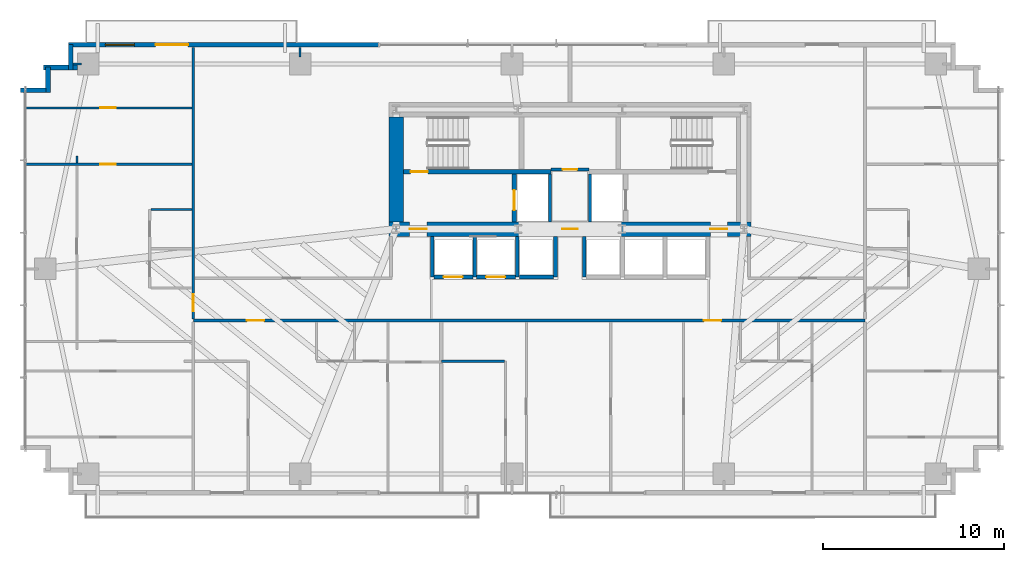
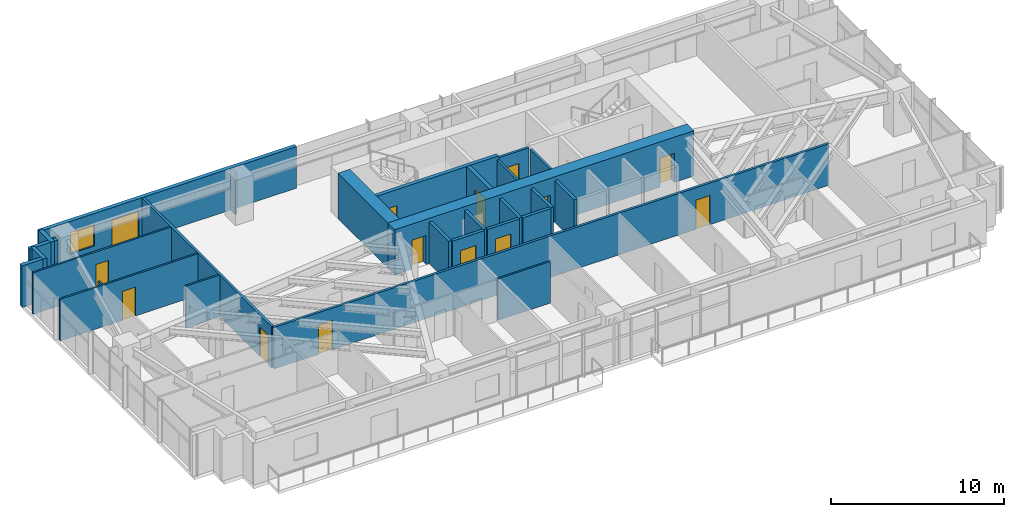
# One storey, part 20 of 25: 29 walls, 14 doors, 1 window, 15 openings.
"""IFC4 building model written with IfcOpenShell, lengths in metres."""

import ifcopenshell
import ifcopenshell.guid

model = None  # the IFC model being written
_history = None  # IfcOwnerHistory: only IFC2X3 demands one
_inside = {}  # id of a spatial element -> (the spatial element, [elements in it])
_under = {}  # id of a project, library or spatial element -> (it, [spatial elements below it])
_declared = {}  # id of a project -> (the project, [libraries it declares])
_typed = {}  # id of a type object -> (the type object, [elements of that type])
_made_of = {}  # id of a material, layer set ... -> (it, [elements and type objects made of it])


def new_model(schema):
    """Start an empty IFC model of exactly this schema.

    Asked for "IFC4X3", IfcOpenShell would pick the latest addendum, in which some entities
    have other attributes; the version numbers below select the first issue.
    IFC2X3 requires an IfcOwnerHistory on every rooted entity: one is made here for all.
    """
    global model, _history
    if schema == "IFC4X3":
        model = ifcopenshell.file(schema_version=(4, 3, 0, 0))
    else:
        model = ifcopenshell.file(schema=schema)
    _inside.clear()
    _under.clear()
    _declared.clear()
    _typed.clear()
    _made_of.clear()
    _history = None
    if model.schema == "IFC2X3":
        org = make("IfcOrganization", Name="unknown")
        user = make(
            "IfcPersonAndOrganization",
            ThePerson=make("IfcPerson", FamilyName="unknown"),
            TheOrganization=org,
        )
        app = make(
            "IfcApplication",
            ApplicationDeveloper=org,
            Version="unknown",
            ApplicationFullName="unknown",
            ApplicationIdentifier="unknown",
        )
        _history = make(
            "IfcOwnerHistory",
            OwningUser=user,
            OwningApplication=app,
            ChangeAction="ADDED",
            CreationDate=0,
        )
    return model


def make(cls, **values):
    """One entity of the class cls with the attributes given. An attribute that is None is left unset."""
    return model.create_entity(
        cls, **{name: value for name, value in values.items() if value is not None}
    )


def rooted(cls, **values):
    """An entity with a GlobalId (a new one), such as an element, a storey or a relation."""
    return make(cls, GlobalId=ifcopenshell.guid.new(), OwnerHistory=_history, **values)


def si_unit(unit_type, name, prefix=None):
    """IfcSIUnit, for example si_unit("LENGTHUNIT", "METRE", prefix="MILLI")."""
    return make("IfcSIUnit", UnitType=unit_type, Prefix=prefix, Name=name)


def assignment(units):
    """IfcUnitAssignment: the units of a project."""
    return None if units is None else make("IfcUnitAssignment", Units=units)


def point(xyz):
    """IfcCartesianPoint."""
    return None if xyz is None else make("IfcCartesianPoint", Coordinates=xyz)


def direction(xyz):
    """IfcDirection."""
    return None if xyz is None else make("IfcDirection", DirectionRatios=xyz)


def frame(location, z_axis=None, x_axis=None):
    """IfcAxis2Placement3D, a coordinate frame: its origin and axes. An axis left out is left unset."""
    return make(
        "IfcAxis2Placement3D",
        Location=point(location),
        Axis=direction(z_axis),
        RefDirection=direction(x_axis),
    )


def frame_2d(location, x_axis=None):
    """IfcAxis2Placement2D, a coordinate frame in the plane: its origin and x axis."""
    return make(
        "IfcAxis2Placement2D", Location=point(location), RefDirection=direction(x_axis)
    )


def origin():
    """The frame at (0, 0, 0) with its axes left unset."""
    return frame((0.0, 0.0, 0.0))


def place(relative_to, where):
    """IfcLocalPlacement: puts the frame where relative to a parent placement (None: the world)."""
    return make(
        "IfcLocalPlacement", PlacementRelTo=relative_to, RelativePlacement=where
    )


def context(
    kind, dimensions, precision=None, world=None, true_north=None, identifier=None
):
    """IfcGeometricRepresentationContext, for example the 3D "Model" context."""
    return make(
        "IfcGeometricRepresentationContext",
        ContextIdentifier=identifier,
        ContextType=kind,
        CoordinateSpaceDimension=dimensions,
        Precision=precision,
        WorldCoordinateSystem=world,
        TrueNorth=true_north,
    )


def subcontext(parent, identifier, kind, view, scale=None):
    """IfcGeometricRepresentationSubContext, for example "Body" below "Model"."""
    return make(
        "IfcGeometricRepresentationSubContext",
        ContextIdentifier=identifier,
        ContextType=kind,
        ParentContext=parent,
        TargetScale=scale,
        TargetView=view,
    )


def project(units=None, contexts=None):
    """IfcProject with its units and contexts."""
    return rooted(
        "IfcProject",
        Name="project",
        RepresentationContexts=contexts,
        UnitsInContext=assignment(units),
    )


def spatial(cls, under=None, at=None, **own):
    """A site, building, storey or space (cls), placed at a placement, below another one or the project."""
    s = rooted(cls, ObjectPlacement=at, **own)
    if under is not None:
        _under.setdefault(under.id(), (under, []))[1].append(s)
    return s


def profile(cls, at=None, kind="AREA", **sizes):
    """A parametric profile (cls). Its sizes go by their IFC names, for example OverallWidth=200.0."""
    return make(cls, ProfileType=kind, Position=at, **sizes)


def rectangle(**sizes):
    """IfcRectangleProfileDef."""
    return profile("IfcRectangleProfileDef", **sizes)


def extrude(swept, where, along, depth):
    """IfcExtrudedAreaSolid: the profile swept, set in the frame where, extruded along a direction by depth."""
    return make(
        "IfcExtrudedAreaSolid",
        SweptArea=swept,
        Position=where,
        ExtrudedDirection=direction(along),
        Depth=depth,
    )


def shape(context_of_items, identifier, shape_type, items):
    """IfcShapeRepresentation: the items that make up one representation, for example the "Body"."""
    return make(
        "IfcShapeRepresentation",
        ContextOfItems=context_of_items,
        RepresentationIdentifier=identifier,
        RepresentationType=shape_type,
        Items=items,
    )


def source(mapping_origin, context_of_items, identifier, shape_type, items):
    """IfcRepresentationMap: a shape defined once, which mapped items show again and again."""
    return make(
        "IfcRepresentationMap",
        MappingOrigin=mapping_origin,
        MappedRepresentation=shape(context_of_items, identifier, shape_type, items),
    )


def transform(
    local_origin,
    x_axis=None,
    y_axis=None,
    z_axis=None,
    scale=None,
    scale2=None,
    scale3=None,
    uniform=True,
):
    """IfcCartesianTransformationOperator3D, or its non-uniform kind. x_axis, y_axis, z_axis: its Axis1, 2, 3."""
    if uniform:
        return make(
            "IfcCartesianTransformationOperator3D",
            Axis1=direction(x_axis),
            Axis2=direction(y_axis),
            LocalOrigin=point(local_origin),
            Scale=scale,
            Axis3=direction(z_axis),
        )
    return make(
        "IfcCartesianTransformationOperator3DnonUniform",
        Axis1=direction(x_axis),
        Axis2=direction(y_axis),
        LocalOrigin=point(local_origin),
        Scale=scale,
        Axis3=direction(z_axis),
        Scale2=scale2,
        Scale3=scale3,
    )


def mapped(mapping_source, mapping_target):
    """IfcMappedItem: shows the shape of a source again, moved by a transform."""
    return make(
        "IfcMappedItem", MappingSource=mapping_source, MappingTarget=mapping_target
    )


def material(Name=None, Category=None):
    """IfcMaterial."""
    return make("IfcMaterial", Name=Name, Category=Category)


def layer(
    of_material, thickness, ventilated=None, Name=None, Category=None, Priority=None
):
    """IfcMaterialLayer: one layer of a wall or slab, of a material (None: an air gap)."""
    return make(
        "IfcMaterialLayer",
        Material=of_material,
        LayerThickness=thickness,
        IsVentilated=ventilated,
        Name=Name,
        Category=Category,
        Priority=Priority,
    )


def layer_set(layers, Name=None):
    """IfcMaterialLayerSet."""
    return make("IfcMaterialLayerSet", MaterialLayers=layers, LayerSetName=Name)


def made_of(thing, what):
    """Note that an element or type object is made of a material, layer set ...; save() writes the relation."""
    if what is not None:
        _made_of.setdefault(what.id(), (what, []))[1].append(thing)
    return thing


def type_object(cls, material=None, **own):
    """A type object (cls), such as IfcWallType, which elements share."""
    return made_of(rooted(cls, **own), material)


def type_shapes(of_type, sources):
    """Give a type object the sources (RepresentationMaps) that its elements show as mapped items."""
    of_type.RepresentationMaps = sources


def element(
    cls,
    number,
    at=None,
    inside=None,
    cuts=None,
    type_object=None,
    material=None,
    context=None,
    identifier="Body",
    shape_type=None,
    held_by="IfcProductDefinitionShape",
    body=None,
    shapes=None,
    **own,
):
    """One element of the class cls, such as IfcWall. Its Tag is "e" and its number.

    at: its placement. inside: the storey or other place that contains it. cuts: it is an
    opening in that element (IfcRelVoidsElement). A single representation is given by context,
    identifier, shape_type and body (its items); several are given by shapes. held_by: the class
    of the entity that holds the representations. save() writes the other relations.
    """
    e = rooted(cls, Tag="e%d" % number, ObjectPlacement=at, **own)
    if body is not None:
        shapes = [shape(context, identifier, shape_type, body)]
    if shapes is not None:
        e.Representation = make(held_by, Representations=shapes)
    if inside is not None:
        _inside.setdefault(inside.id(), (inside, []))[1].append(e)
    if cuts is not None:
        rooted(
            "IfcRelVoidsElement", RelatingBuildingElement=cuts, RelatedOpeningElement=e
        )
    if type_object is not None:
        _typed.setdefault(type_object.id(), (type_object, []))[1].append(e)
    return made_of(e, material)


def fill(opening, filler):
    """IfcRelFillsElement: the door or window that sits in an opening."""
    return rooted(
        "IfcRelFillsElement",
        RelatingOpeningElement=opening,
        RelatedBuildingElement=filler,
    )


def aggregate(whole, parts):
    """IfcRelAggregates: a whole, such as a stair, and the parts it consists of."""
    return rooted("IfcRelAggregates", RelatingObject=whole, RelatedObjects=parts)


def save(model, path):
    """Write the relations noted so far, then the file.

    IfcRelAggregates (storeys below a building ...), IfcRelContainedInSpatialStructure (elements
    in a storey), IfcRelDefinesByType, IfcRelAssociatesMaterial and IfcRelDeclares: one each for
    every whole, place, type object, material and project.
    """
    for whole, parts in _under.values():
        aggregate(whole, parts)
    for where, things in _inside.values():
        rooted(
            "IfcRelContainedInSpatialStructure",
            RelatedElements=things,
            RelatingStructure=where,
        )
    for kind, things in _typed.values():
        rooted("IfcRelDefinesByType", RelatedObjects=things, RelatingType=kind)
    for what, things in _made_of.values():
        rooted("IfcRelAssociatesMaterial", RelatedObjects=things, RelatingMaterial=what)
    for by, libraries in _declared.values():
        rooted("IfcRelDeclares", RelatingContext=by, RelatedDefinitions=libraries)
    model.write(path)


model = new_model("IFC4")

# Units and contexts
model_context = context("Model", 3, precision=1e-05, world=origin(), true_north=direction((0.0, 1.0)))
body_context = subcontext(model_context, "Body", "Model", "MODEL_VIEW")
ifc_project = project(units=[si_unit("LENGTHUNIT", "METRE"), si_unit("AREAUNIT", "SQUARE_METRE"), si_unit("VOLUMEUNIT", "CUBIC_METRE"), si_unit("PLANEANGLEUNIT", "RADIAN"), si_unit("MASSUNIT", "GRAM", prefix="KILO")], contexts=[model_context])

# Site, building, storey
site_placement = place(None, origin())
site = spatial("IfcSite", under=ifc_project, at=site_placement, CompositionType="ELEMENT")
building_placement = place(site_placement, origin())
building = spatial("IfcBuilding", under=site, at=building_placement, Name="Astriad Promenade Condominiums", CompositionType="ELEMENT")
storey_placement = place(building_placement, frame((0.0, 0.0, 26.199951171875)))
storey = spatial("IfcBuildingStorey", under=building, at=storey_placement, Name="L06", CompositionType="ELEMENT", Elevation=26.199951171875)

# Wall, openings, doors
ifc_material_1 = material(Name="Concrete C80/95", Category="concrete")
ifc_layer_1 = layer(ifc_material_1, 0.800048828125)
ifc_layer_set_1 = layer_set([ifc_layer_1], Name="Concrete C80/95")
wall_type_1 = type_object("IfcWallType", Name="CW-SHEAR-800", PredefinedType="SHEAR", material=ifc_layer_set_1)
wall_1_placement = place(storey_placement, frame((26.0, 17.39990234375, 0.0), z_axis=(0.0, 0.0, 1.0), x_axis=(1.0, 0.0, 0.0)))
wall_1 = element("IfcWall", 1, at=wall_1_placement, inside=storey, type_object=wall_type_1, Name="CW-CORE-S-L06", PredefinedType="SHEAR", context=body_context, shape_type="SweptSolid", body=[
    extrude(rectangle(XDim=20.0, YDim=0.800048828125, at=frame_2d((10.0, 0.0))), origin(), (0.0, 0.0, 1.0), 3.199951171875),
])
opening_1_placement = place(wall_1_placement, frame((1.14990234375, 0.0, 0.0)))
opening_1 = element("IfcOpeningElement", 2, at=opening_1_placement, cuts=wall_1, Name="Opening FD90-ST-095", PredefinedType="OPENING", context=body_context, shape_type="SweptSolid", body=[
    extrude(rectangle(XDim=0.949951171875, YDim=2.06005859375, at=frame_2d((0.47509765625, 1.030029296875))), frame((0.0, 0.409912109375, 0.0), z_axis=(0.0, -1.0, 0.0), x_axis=(1.0, 0.0, 0.0)), (0.0, 0.0, 1.0), 0.820068359375),
])
opening_2_placement = place(wall_1_placement, frame((9.580078125, 0.0, 0.0)))
opening_2 = element("IfcOpeningElement", 3, at=opening_2_placement, cuts=wall_1, Name="Opening FD60-ULOW-085", PredefinedType="OPENING", context=body_context, shape_type="SweptSolid", body=[
    extrude(rectangle(XDim=0.85009765625, YDim=2.0, at=frame_2d((0.425048828125, 1.0))), frame((0.0, 0.409912109375, 0.0), z_axis=(0.0, -1.0, 0.0), x_axis=(1.0, 0.0, 0.0)), (0.0, 0.0, 1.0), 0.820068359375),
])
opening_3_placement = place(wall_1_placement, frame((17.75, 0.0, 0.0)))
opening_3 = element("IfcOpeningElement", 4, at=opening_3_placement, cuts=wall_1, Name="Opening FD90-ST-095", PredefinedType="OPENING", context=body_context, shape_type="SweptSolid", body=[
    extrude(rectangle(XDim=0.949951171875, YDim=2.06005859375, at=frame_2d((0.47509765625, 1.030029296875))), frame((0.0, 0.409912109375, 0.0), z_axis=(0.0, -1.0, 0.0), x_axis=(1.0, 0.0, 0.0)), (0.0, 0.0, 1.0), 0.820068359375),
])
ifc_material_2 = material(Name="Fire-Rated Hollow Metal Stair Door")
door_type_1 = type_object("IfcDoorType", Name="FD90-ST-095", OperationType="NOTDEFINED", PredefinedType="DOOR", material=ifc_material_2)
shared_shape_1 = source(origin(), body_context, "Body", "SweptSolid", [
    extrude(rectangle(XDim=0.949951171875, YDim=2.06005859375, at=frame_2d((0.47509765625, 1.030029296875))), frame((0.0, 0.02490234375, 0.0), z_axis=(0.0, -1.0, 0.0), x_axis=(1.0, 0.0, 0.0)), (0.0, 0.0, 1.0), 0.050048828125),
])
type_shapes(door_type_1, [shared_shape_1])
door_1_placement = place(opening_1_placement, origin())
door_1 = element("IfcDoor", 5, at=door_1_placement, inside=storey, type_object=door_type_1, Name="D-FFW-L06", OperationType="SINGLE_SWING_LEFT", OverallHeight=2.06005859375, OverallWidth=0.949951171875, PredefinedType="DOOR", context=body_context, shape_type="MappedRepresentation", body=[
    mapped(shared_shape_1, transform((0.0, 0.0, 0.0), scale=1.0)),
])
fill(opening_1, door_1)
door_2_placement = place(opening_3_placement, origin())
door_2 = element("IfcDoor", 6, at=door_2_placement, inside=storey, type_object=door_type_1, Name="D-FFE-L06", OperationType="SINGLE_SWING_RIGHT", OverallHeight=2.06005859375, OverallWidth=0.949951171875, PredefinedType="DOOR", context=body_context, shape_type="MappedRepresentation", body=[
    mapped(shared_shape_1, transform((0.0, 0.0, 0.0), scale=1.0)),
])
fill(opening_3, door_2)
ifc_material_3 = material(Name="Solid-Core Low-Headroom Fire Door")
door_type_2 = type_object("IfcDoorType", Name="FD60-ULOW-085", OperationType="NOTDEFINED", PredefinedType="DOOR", material=ifc_material_3)
shared_shape_2 = source(origin(), body_context, "Body", "SweptSolid", [
    extrude(rectangle(XDim=0.85009765625, YDim=2.0, at=frame_2d((0.425048828125, 1.0))), frame((0.0, 0.02490234375, 0.0), z_axis=(0.0, -1.0, 0.0), x_axis=(1.0, 0.0, 0.0)), (0.0, 0.0, 1.0), 0.050048828125),
])
type_shapes(door_type_2, [shared_shape_2])
door_3_placement = place(opening_2_placement, origin())
door_3 = element("IfcDoor", 7, at=door_3_placement, inside=storey, type_object=door_type_2, Name="D-CSL-L06", OperationType="SINGLE_SWING_RIGHT", OverallHeight=2.0, OverallWidth=0.85009765625, PredefinedType="DOOR", context=body_context, shape_type="MappedRepresentation", body=[
    mapped(shared_shape_2, transform((0.0, 0.0, 0.0), scale=1.0)),
])
fill(opening_2, door_3)

# Wall
wall_2_placement = place(storey_placement, frame((26.39990234375, 17.802001953125, 0.0), z_axis=(0.0, 0.0, 1.0), x_axis=(0.0, 1.0, 0.0)))
element("IfcWall", 8, at=wall_2_placement, inside=storey, type_object=wall_type_1, Name="CW-CORE-W-L06", PredefinedType="SHEAR", context=body_context, shape_type="SweptSolid", body=[
    extrude(rectangle(XDim=5.7958984375, YDim=0.800048828125, at=frame_2d((2.89794921875, 0.0))), origin(), (0.0, 0.0, 1.0), 3.199951171875),
])

# Wall, opening, door
ifc_material_4 = material(Name="Concrete C50/60", Category="concrete")
ifc_layer_2 = layer(ifc_material_4, 0.25)
ifc_layer_set_2 = layer_set([ifc_layer_2], Name="Concrete C50/60")
wall_type_2 = type_object("IfcWallType", Name="WALL-CORE-INT-250", PredefinedType="SOLIDWALL", material=ifc_layer_set_2)
wall_3_placement = place(storey_placement, frame((26.802001953125, 20.574951171875, 0.0), z_axis=(0.0, 0.0, 1.0), x_axis=(1.0, 0.0, 0.0)))
wall_3 = element("IfcWall", 9, at=wall_3_placement, inside=storey, type_object=wall_type_2, Name="CW-INT-H1-L06", PredefinedType="SOLIDWALL", context=body_context, shape_type="SweptSolid", body=[
    extrude(rectangle(XDim=8.14794921875, YDim=0.25, at=frame_2d((4.073974609375, 0.0))), origin(), (0.0, 0.0, 1.0), 3.199951171875),
])
opening_4_placement = place(wall_3_placement, frame((0.39794921875, 0.0, 0.0)))
opening_4 = element("IfcOpeningElement", 10, at=opening_4_placement, cuts=wall_3, Name="Opening FD90-ST-095", PredefinedType="OPENING", context=body_context, shape_type="SweptSolid", body=[
    extrude(rectangle(XDim=0.949951171875, YDim=2.06005859375, at=frame_2d((0.47509765625, 1.030029296875))), frame((0.0, 0.135009765625, 0.0), z_axis=(0.0, -1.0, 0.0), x_axis=(1.0, 0.0, 0.0)), (0.0, 0.0, 1.0), 0.27001953125),
])
door_4_placement = place(opening_4_placement, origin())
door_4 = element("IfcDoor", 11, at=door_4_placement, inside=storey, type_object=door_type_1, Name="D-ST1-L06", OperationType="SINGLE_SWING_LEFT", OverallHeight=2.06005859375, OverallWidth=0.949951171875, PredefinedType="DOOR", context=body_context, shape_type="MappedRepresentation", body=[
    mapped(shared_shape_1, transform((0.0, 0.0, 0.0), scale=1.0)),
])
fill(opening_4, door_4)

wall_4_placement = place(storey_placement, frame((32.925048828125, 17.802001953125, 0.0), z_axis=(0.0, 0.0, 1.0), x_axis=(0.0, 1.0, 0.0)))
wall_4 = element("IfcWall", 12, at=wall_4_placement, inside=storey, type_object=wall_type_2, Name="CW-FFL1-W-L06", PredefinedType="SOLIDWALL", context=body_context, shape_type="SweptSolid", body=[
    extrude(rectangle(XDim=2.64599609375, YDim=0.25, at=frame_2d((1.322998046875, 0.0))), origin(), (0.0, 0.0, 1.0), 3.199951171875),
])
opening_5_placement = place(wall_4_placement, frame((0.64794921875, 0.0, 0.0)))
opening_5 = element("IfcOpeningElement", 13, at=opening_5_placement, cuts=wall_4, Name="Opening LD-FFL-1122", PredefinedType="OPENING", context=body_context, shape_type="SweptSolid", body=[
    extrude(rectangle(XDim=1.10009765625, YDim=2.080078125, at=frame_2d((0.550048828125, 1.0400390625))), frame((0.0, 0.135009765625, 0.0), z_axis=(0.0, -1.0, 0.0), x_axis=(1.0, 0.0, 0.0)), (0.0, 0.0, 1.0), 0.27001953125),
])
ifc_material_5 = material(Name="Brushed Stainless Steel Fire Elevator Landing Door", Category="steel")
door_type_3 = type_object("IfcDoorType", Name="LD-FFL-1122", OperationType="NOTDEFINED", PredefinedType="DOOR", material=ifc_material_5)
shared_shape_3 = source(origin(), body_context, "Body", "SweptSolid", [
    extrude(rectangle(XDim=1.10009765625, YDim=2.080078125, at=frame_2d((0.550048828125, 1.0400390625))), frame((0.0, 0.02490234375, 0.0), z_axis=(0.0, -1.0, 0.0), x_axis=(1.0, 0.0, 0.0)), (0.0, 0.0, 1.0), 0.050048828125),
])
type_shapes(door_type_3, [shared_shape_3])
door_5_placement = place(opening_5_placement, origin())
door_5 = element("IfcDoor", 14, at=door_5_placement, inside=storey, type_object=door_type_3, Name="Elevator Landing Door FFL-1 (L06)", OperationType="SLIDING_TO_LEFT", OverallHeight=2.080078125, OverallWidth=1.10009765625, PredefinedType="DOOR", context=body_context, shape_type="MappedRepresentation", body=[
    mapped(shared_shape_3, transform((0.0, 0.0, 0.0), scale=1.0)),
])
fill(opening_5, door_5)

# Walls
ifc_material_6 = material(Name="Fire-Rated Gypsum Partition")
ifc_layer_3 = layer(ifc_material_6, 0.159912109375)
ifc_layer_set_3 = layer_set([ifc_layer_3], Name="Fire-Rated Gypsum Partition")
wall_type_3 = type_object("IfcWallType", Name="WALL-CORR-160", PredefinedType="PARTITIONING", material=ifc_layer_set_3)
for number, where, z_axis, x_axis, name in (
    (15, (34.89990234375, 17.802001953125, 0.0), (0.0, 0.0, 1.0), (0.0, 1.0, 0.0), "CW-FFL1-E-L06"),
    (16, (37.10009765625, 17.802001953125, 0.0), (0.0, 0.0, 1.0), (0.0, 1.0, 0.0), "CW-FFL2-W-L06"),
):
    element("IfcWall", number, at=place(storey_placement, frame(where, z_axis=z_axis, x_axis=x_axis)), inside=storey, type_object=wall_type_3, Name=name, PredefinedType="PARTITIONING", context=body_context, shape_type="SweptSolid", body=[
        extrude(rectangle(XDim=2.64599609375, YDim=0.159912109375, at=frame_2d((1.322998046875, 0.0))), origin(), (0.0, 0.0, 1.0), 2.93994140625),
    ])

# Wall, opening, door
wall_5_placement = place(storey_placement, frame((34.949951171875, 20.68994140625, 0.0), z_axis=(0.0, 0.0, 1.0), x_axis=(1.0, 0.0, 0.0)))
wall_5 = element("IfcWall", 17, at=wall_5_placement, inside=storey, type_object=wall_type_3, Name="CW-AUX-S-L06", PredefinedType="PARTITIONING", context=body_context, shape_type="SweptSolid", body=[
    extrude(rectangle(XDim=2.10009765625, YDim=0.159912109375, at=frame_2d((1.050048828125, 0.0))), origin(), (0.0, 0.0, 1.0), 2.93994140625),
])
opening_6_placement = place(wall_5_placement, frame((0.64990234375, 0.0, 0.0)))
opening_6 = element("IfcOpeningElement", 18, at=opening_6_placement, cuts=wall_5, Name="Opening FD60-SV-080", PredefinedType="OPENING", context=body_context, shape_type="SweptSolid", body=[
    extrude(rectangle(XDim=0.800048828125, YDim=2.050048828125, at=frame_2d((0.39990234375, 1.02490234375))), frame((0.0, 0.08984375, 0.0), z_axis=(0.0, -1.0, 0.0), x_axis=(1.0, 0.0, 0.0)), (0.0, 0.0, 1.0), 0.179931640625),
])
ifc_material_7 = material(Name="Fire-Rated Riser Closet Door")
door_type_4 = type_object("IfcDoorType", Name="FD60-SV-080", OperationType="NOTDEFINED", PredefinedType="DOOR", material=ifc_material_7)
shared_shape_4 = source(origin(), body_context, "Body", "SweptSolid", [
    extrude(rectangle(XDim=0.800048828125, YDim=2.050048828125, at=frame_2d((0.39990234375, 1.02490234375))), frame((0.0, 0.02490234375, 0.0), z_axis=(0.0, -1.0, 0.0), x_axis=(1.0, 0.0, 0.0)), (0.0, 0.0, 1.0), 0.050048828125),
])
type_shapes(door_type_4, [shared_shape_4])
door_6_placement = place(opening_6_placement, origin())
door_6 = element("IfcDoor", 19, at=door_6_placement, inside=storey, type_object=door_type_4, Name="D-AUX1-L06", OperationType="SINGLE_SWING_LEFT", OverallHeight=2.050048828125, OverallWidth=0.800048828125, PredefinedType="DOOR", context=body_context, shape_type="MappedRepresentation", body=[
    mapped(shared_shape_4, transform((0.0, 0.0, 0.0), scale=1.0)),
])
fill(opening_6, door_6)

# Wall, openings, doors
wall_6_placement = place(storey_placement, frame((15.199951171875, 12.35009765625, 0.0), z_axis=(0.0, 0.0, 1.0), x_axis=(1.0, 0.0, 0.0)))
wall_6 = element("IfcWall", 20, at=wall_6_placement, inside=storey, type_object=wall_type_3, Name="PT-COR-S-L06", PredefinedType="PARTITIONING", context=body_context, shape_type="SweptSolid", body=[
    extrude(rectangle(XDim=37.10009765625, YDim=0.159912109375, at=frame_2d((18.550048828125, 0.0))), origin(), (0.0, 0.0, 1.0), 2.93994140625),
])
opening_7_placement = place(wall_6_placement, frame((2.964111328125, 0.0, 0.0)))
opening_7 = element("IfcOpeningElement", 21, at=opening_7_placement, cuts=wall_6, Name="Opening FD60-APT-095", PredefinedType="OPENING", context=body_context, shape_type="SweptSolid", body=[
    extrude(rectangle(XDim=0.949951171875, YDim=2.06005859375, at=frame_2d((0.47509765625, 1.030029296875))), frame((0.0, 0.08984375, 0.0), z_axis=(0.0, -1.0, 0.0), x_axis=(1.0, 0.0, 0.0)), (0.0, 0.0, 1.0), 0.179931640625),
])
opening_8_placement = place(wall_6_placement, frame((28.201904296875, 0.0, 0.0)))
opening_8 = element("IfcOpeningElement", 22, at=opening_8_placement, cuts=wall_6, Name="Opening FD60-APT-095", PredefinedType="OPENING", context=body_context, shape_type="SweptSolid", body=[
    extrude(rectangle(XDim=0.949951171875, YDim=2.06005859375, at=frame_2d((0.47509765625, 1.030029296875))), frame((0.0, 0.08984375, 0.0), z_axis=(0.0, -1.0, 0.0), x_axis=(1.0, 0.0, 0.0)), (0.0, 0.0, 1.0), 0.179931640625),
])
ifc_material_8 = material(Name="Solid-Core Acoustic Timber Residence Entry Door", Category="wood")
door_type_5 = type_object("IfcDoorType", Name="FD60-APT-095", OperationType="NOTDEFINED", PredefinedType="DOOR", material=ifc_material_8)
shared_shape_5 = source(origin(), body_context, "Body", "SweptSolid", [
    extrude(rectangle(XDim=0.949951171875, YDim=2.06005859375, at=frame_2d((0.47509765625, 1.030029296875))), frame((0.0, 0.02490234375, 0.0), z_axis=(0.0, -1.0, 0.0), x_axis=(1.0, 0.0, 0.0)), (0.0, 0.0, 1.0), 0.050048828125),
])
type_shapes(door_type_5, [shared_shape_5])
door_7_placement = place(opening_7_placement, origin())
door_7 = element("IfcDoor", 23, at=door_7_placement, inside=storey, type_object=door_type_5, Name="D-ENT-L06-S1", OperationType="SINGLE_SWING_RIGHT", OverallHeight=2.06005859375, OverallWidth=0.949951171875, PredefinedType="DOOR", context=body_context, shape_type="MappedRepresentation", body=[
    mapped(shared_shape_5, transform((0.0, 0.0, 0.0), scale=1.0)),
])
fill(opening_7, door_7)
door_8_placement = place(opening_8_placement, origin())
door_8 = element("IfcDoor", 24, at=door_8_placement, inside=storey, type_object=door_type_5, Name="D-ENT-L06-S2", OperationType="SINGLE_SWING_RIGHT", OverallHeight=2.06005859375, OverallWidth=0.949951171875, PredefinedType="DOOR", context=body_context, shape_type="MappedRepresentation", body=[
    mapped(shared_shape_5, transform((0.0, 0.0, 0.0), scale=1.0)),
])
fill(opening_8, door_8)

# Wall, opening, door
wall_7_placement = place(storey_placement, frame((15.199951171875, 12.431884765625, 0.0), z_axis=(0.0, 0.0, 1.0), x_axis=(0.0, 1.0, 0.0)))
wall_7 = element("IfcWall", 25, at=wall_7_placement, inside=storey, type_object=wall_type_3, Name="PT-COR-W-L06-S2", PredefinedType="PARTITIONING", context=body_context, shape_type="SweptSolid", body=[
    extrude(rectangle(XDim=15.006103515625, YDim=0.159912109375, at=frame_2d((7.5029296875, 0.0))), origin(), (0.0, 0.0, 1.0), 2.93994140625),
])
opening_9_placement = place(wall_7_placement, frame((0.428955078125, 0.0, 0.0)))
opening_9 = element("IfcOpeningElement", 26, at=opening_9_placement, cuts=wall_7, Name="Opening FD60-APT-095", PredefinedType="OPENING", context=body_context, shape_type="SweptSolid", body=[
    extrude(rectangle(XDim=0.949951171875, YDim=2.06005859375, at=frame_2d((0.47509765625, 1.030029296875))), frame((0.0, 0.08984375, 0.0), z_axis=(0.0, -1.0, 0.0), x_axis=(1.0, 0.0, 0.0)), (0.0, 0.0, 1.0), 0.179931640625),
])
door_9_placement = place(opening_9_placement, origin())
door_9 = element("IfcDoor", 27, at=door_9_placement, inside=storey, type_object=door_type_5, Name="D-ENT-L06-W1", OperationType="SINGLE_SWING_RIGHT", OverallHeight=2.06005859375, OverallWidth=0.949951171875, PredefinedType="DOOR", context=body_context, shape_type="MappedRepresentation", body=[
    mapped(shared_shape_5, transform((0.0, 0.0, 0.0), scale=1.0)),
])
fill(opening_9, door_9)

# Walls
ifc_material_9 = material(Name="Precast concrete C50/60", Category="concrete")
ifc_layer_4 = layer(ifc_material_9, 0.260009765625)
ifc_layer_set_4 = layer_set([ifc_layer_4], Name="Precast concrete C50/60")
wall_type_4 = type_object("IfcWallType", Name="WALL-EXT-TWR-260", PredefinedType="STANDARD", material=ifc_layer_set_4)
for number, where, z_axis, x_axis, name in (
    (28, (5.669921875, 25.070068359375, 0.0), (0.0, 0.0, 1.0), (1.0, 0.0, 0.0), "W-SER-L06-04"),
    (29, (7.179931640625, 24.93994140625, 0.0), (0.0, 0.0, 1.0), (0.0, 1.0, 0.0), "W-SER-L06-05"),
):
    element("IfcWall", number, at=place(storey_placement, frame(where, z_axis=z_axis, x_axis=x_axis)), inside=storey, type_object=wall_type_4, Name=name, PredefinedType="STANDARD", context=body_context, shape_type="SweptSolid", body=[
        extrude(rectangle(XDim=1.39501953125, YDim=0.260009765625, at=frame_2d((0.697509765625, 0.0))), origin(), (0.0, 0.0, 1.0), 2.93994140625),
    ])
wall_8_placement = place(storey_placement, frame((6.919921875, 26.320068359375, 0.0), z_axis=(0.0, 0.0, 1.0), x_axis=(1.0, 0.0, 0.0)))
element("IfcWall", 30, at=wall_8_placement, inside=storey, type_object=wall_type_4, Name="W-SER-L06-06", PredefinedType="STANDARD", context=body_context, shape_type="SweptSolid", body=[
    extrude(rectangle(XDim=1.878173828125, YDim=0.260009765625, at=frame_2d((0.93896484375, 0.0))), origin(), (0.0, 0.0, 1.0), 2.93994140625),
])
wall_9_placement = place(storey_placement, frame((8.429931640625, 26.18994140625, 0.0), z_axis=(0.0, 0.0, 1.0), x_axis=(0.0, 1.0, 0.0)))
element("IfcWall", 31, at=wall_9_placement, inside=storey, type_object=wall_type_4, Name="W-SER-L06-07", PredefinedType="STANDARD", context=body_context, shape_type="SweptSolid", body=[
    extrude(rectangle(XDim=1.39501953125, YDim=0.260009765625, at=frame_2d((0.697509765625, 0.0))), origin(), (0.0, 0.0, 1.0), 2.93994140625),
])

# Wall, openings, door, window
wall_10_placement = place(storey_placement, frame((8.300048828125, 27.570068359375, 0.0), z_axis=(0.0, 0.0, 1.0), x_axis=(1.0, 0.0, 0.0)))
wall_10 = element("IfcWall", 32, at=wall_10_placement, inside=storey, type_object=wall_type_4, Name="W-EXT-L06-N1", PredefinedType="STANDARD", context=body_context, shape_type="SweptSolid", body=[
    extrude(rectangle(XDim=17.14990234375, YDim=0.260009765625, at=frame_2d((8.574951171875, 0.0))), origin(), (0.0, 0.0, 1.0), 2.93994140625),
])
opening_10_placement = place(wall_10_placement, frame((4.81689453125, 0.0, 0.0)))
opening_10 = element("IfcOpeningElement", 33, at=opening_10_placement, cuts=wall_10, Name="Opening BD-1822-SLD", PredefinedType="OPENING", context=body_context, shape_type="SweptSolid", body=[
    extrude(rectangle(XDim=1.800048828125, YDim=2.06005859375, at=frame_2d((0.89990234375, 1.030029296875))), frame((0.0, 0.139892578125, 0.0), z_axis=(0.0, -1.0, 0.0), x_axis=(1.0, 0.0, 0.0)), (0.0, 0.0, 1.0), 0.280029296875),
])
opening_11_placement = place(wall_10_placement, frame((2.050048828125, 0.0, 0.64990234375)))
opening_11 = element("IfcOpeningElement", 34, at=opening_11_placement, cuts=wall_10, Name="Opening WIN-TWR-1620", PredefinedType="OPENING", context=body_context, shape_type="SweptSolid", body=[
    extrude(rectangle(XDim=1.60009765625, YDim=1.5, at=frame_2d((0.800048828125, 0.75))), frame((0.0, 0.139892578125, 0.0), z_axis=(0.0, -1.0, 0.0), x_axis=(1.0, 0.0, 0.0)), (0.0, 0.0, 1.0), 0.280029296875),
])
ifc_material_10 = material(Name="Thermally Broken Aluminium Sliding Balcony Door", Category="aluminium")
door_type_6 = type_object("IfcDoorType", Name="BD-1822-SLD", OperationType="NOTDEFINED", PredefinedType="DOOR", material=ifc_material_10)
shared_shape_6 = source(origin(), body_context, "Body", "SweptSolid", [
    extrude(rectangle(XDim=1.800048828125, YDim=2.06005859375, at=frame_2d((0.89990234375, 1.030029296875))), frame((0.0, 0.02490234375, 0.0), z_axis=(0.0, -1.0, 0.0), x_axis=(1.0, 0.0, 0.0)), (0.0, 0.0, 1.0), 0.050048828125),
])
type_shapes(door_type_6, [shared_shape_6])
door_10_placement = place(opening_10_placement, origin())
door_10 = element("IfcDoor", 35, at=door_10_placement, inside=storey, type_object=door_type_6, Name="BD-L06-NW", OperationType="SLIDING_TO_LEFT", OverallHeight=2.06005859375, OverallWidth=1.800048828125, PredefinedType="DOOR", context=body_context, shape_type="MappedRepresentation", body=[
    mapped(shared_shape_6, transform((0.0, 0.0, 0.0), scale=1.0)),
])
fill(opening_10, door_10)
ifc_material_11 = material(Name="Dark Tinted Triple-Glazed Aluminium Window", Category="aluminium")
window_type = type_object("IfcWindowType", Name="WIN-TWR-1620", PartitioningType="SINGLE_PANEL", PredefinedType="WINDOW", material=ifc_material_11)
shared_shape_7 = source(origin(), body_context, "Body", "SweptSolid", [
    extrude(rectangle(XDim=1.60009765625, YDim=1.5, at=frame_2d((0.800048828125, 0.75))), frame((0.0, 0.030029296875, 0.0), z_axis=(0.0, -1.0, 0.0), x_axis=(1.0, 0.0, 0.0)), (0.0, 0.0, 1.0), 0.06005859375),
])
type_shapes(window_type, [shared_shape_7])
window_placement = place(opening_11_placement, origin())
window = element("IfcWindow", 36, at=window_placement, inside=storey, type_object=window_type, Name="WIN-L06-NW", OverallHeight=1.5, OverallWidth=1.60009765625, PartitioningType="SINGLE_PANEL", PredefinedType="WINDOW", context=body_context, shape_type="MappedRepresentation", body=[
    mapped(shared_shape_7, transform((0.0, 0.0, 0.0), scale=1.0)),
])
fill(opening_11, window)

# Walls
ifc_material_12 = material(Name="Acoustic Metal-Stud Gypsum Partition")
ifc_layer_5 = layer(ifc_material_12, 0.1201171875)
ifc_layer_set_5 = layer_set([ifc_layer_5], Name="Acoustic Metal-Stud Gypsum Partition")
wall_type_5 = type_object("IfcWallType", Name="WALL-PART-120", PredefinedType="PARTITIONING", material=ifc_layer_set_5)
wall_11_placement = place(storey_placement, frame((28.89794921875, 10.10009765625, 0.0), z_axis=(0.0, 0.0, 1.0), x_axis=(1.0, 0.0, 0.0)))
element("IfcWall", 37, at=wall_11_placement, inside=storey, type_object=wall_type_5, Name="PT-L06-S2-EXH", PredefinedType="PARTITIONING", context=body_context, shape_type="SweptSolid", body=[
    extrude(rectangle(XDim=3.488037109375, YDim=0.1201171875, at=frame_2d((1.744140625, 0.0))), origin(), (0.0, 0.0, 1.0), 2.93994140625),
])
wall_12_placement = place(storey_placement, frame((12.862060546875, 18.486083984375, 0.0), z_axis=(0.0, 0.0, 1.0), x_axis=(1.0, 0.0, 0.0)))
element("IfcWall", 38, at=wall_12_placement, inside=storey, type_object=wall_type_5, Name="PT-L06-W1-PN", PredefinedType="PARTITIONING", context=body_context, shape_type="SweptSolid", body=[
    extrude(rectangle(XDim=2.255859375, YDim=0.1201171875, at=frame_2d((1.1279296875, 0.0))), origin(), (0.0, 0.0, 1.0), 2.93994140625),
])

# Wall, opening, door
wall_13_placement = place(storey_placement, frame((5.8798828125, 24.090087890625, 0.0), z_axis=(0.0, 0.0, 1.0), x_axis=(1.0, 0.0, 0.0)))
wall_13 = element("IfcWall", 39, at=wall_13_placement, inside=storey, type_object=wall_type_5, Name="PT-L06-W1-B1", PredefinedType="PARTITIONING", context=body_context, shape_type="SweptSolid", body=[
    extrude(rectangle(XDim=9.238037109375, YDim=0.1201171875, at=frame_2d((4.619140625, 0.0))), origin(), (0.0, 0.0, 1.0), 2.93994140625),
])
opening_12_placement = place(wall_13_placement, frame((4.18505859375, 0.0, 0.0)))
opening_12 = element("IfcOpeningElement", 40, at=opening_12_placement, cuts=wall_13, Name="Opening D-INT-085", PredefinedType="OPENING", context=body_context, shape_type="SweptSolid", body=[
    extrude(rectangle(XDim=0.85009765625, YDim=2.050048828125, at=frame_2d((0.425048828125, 1.02490234375))), frame((0.0, 0.070068359375, 0.0), z_axis=(0.0, -1.0, 0.0), x_axis=(1.0, 0.0, 0.0)), (0.0, 0.0, 1.0), 0.14013671875),
])
ifc_material_13 = material(Name="Painted Solid-Core Timber Room Door", Category="wood")
door_type_7 = type_object("IfcDoorType", Name="D-INT-085", OperationType="NOTDEFINED", PredefinedType="DOOR", material=ifc_material_13)
shared_shape_8 = source(origin(), body_context, "Body", "SweptSolid", [
    extrude(rectangle(XDim=0.85009765625, YDim=2.050048828125, at=frame_2d((0.425048828125, 1.02490234375))), frame((0.0, 0.02490234375, 0.0), z_axis=(0.0, -1.0, 0.0), x_axis=(1.0, 0.0, 0.0)), (0.0, 0.0, 1.0), 0.050048828125),
])
type_shapes(door_type_7, [shared_shape_8])
door_11_placement = place(opening_12_placement, origin())
door_11 = element("IfcDoor", 41, at=door_11_placement, inside=storey, type_object=door_type_7, Name="D-BD1-L06-W1", OperationType="SINGLE_SWING_LEFT", OverallHeight=2.050048828125, OverallWidth=0.85009765625, PredefinedType="DOOR", context=body_context, shape_type="MappedRepresentation", body=[
    mapped(shared_shape_8, transform((0.0, 0.0, 0.0), scale=1.0)),
])
fill(opening_12, door_11)

wall_14_placement = place(storey_placement, frame((5.8798828125, 20.98095703125, 0.0), z_axis=(0.0, 0.0, 1.0), x_axis=(1.0, 0.0, 0.0)))
wall_14 = element("IfcWall", 42, at=wall_14_placement, inside=storey, type_object=wall_type_5, Name="PT-L06-W1-WDN2", PredefinedType="PARTITIONING", context=body_context, shape_type="SweptSolid", body=[
    extrude(rectangle(XDim=9.238037109375, YDim=0.1201171875, at=frame_2d((4.619140625, 0.0))), origin(), (0.0, 0.0, 1.0), 2.93994140625),
])
opening_13_placement = place(wall_14_placement, frame((4.18505859375, 0.0, 0.0)))
opening_13 = element("IfcOpeningElement", 43, at=opening_13_placement, cuts=wall_14, Name="Opening D-INT-085", PredefinedType="OPENING", context=body_context, shape_type="SweptSolid", body=[
    extrude(rectangle(XDim=0.85009765625, YDim=2.050048828125, at=frame_2d((0.425048828125, 1.02490234375))), frame((0.0, 0.070068359375, 0.0), z_axis=(0.0, -1.0, 0.0), x_axis=(1.0, 0.0, 0.0)), (0.0, 0.0, 1.0), 0.14013671875),
])
door_12_placement = place(opening_13_placement, origin())
door_12 = element("IfcDoor", 44, at=door_12_placement, inside=storey, type_object=door_type_7, Name="D-WDN2-L06-W1", OperationType="SINGLE_SWING_RIGHT", OverallHeight=2.050048828125, OverallWidth=0.85009765625, PredefinedType="DOOR", context=body_context, shape_type="MappedRepresentation", body=[
    mapped(shared_shape_8, transform((0.0, 0.0, 0.0), scale=1.0)),
])
fill(opening_13, door_12)

# Walls
wall_15_placement = place(storey_placement, frame((8.77490234375, 21.04296875, 0.0), z_axis=(0.0, 0.0, 1.0), x_axis=(0.0, 1.0, 0.0)))
element("IfcWall", 45, at=wall_15_placement, inside=storey, type_object=wall_type_5, Name="PT-L06-W1-WDV4-S3", PredefinedType="PARTITIONING", context=body_context, shape_type="SweptSolid", body=[
    extrude(rectangle(XDim=0.3779296875, YDim=0.1201171875, at=frame_2d((0.18896484375, 0.0))), origin(), (0.0, 0.0, 1.0), 2.93994140625),
])
wall_16_placement = place(storey_placement, frame((9.02001953125, 26.52001953125, 0.0), z_axis=(0.0, 0.0, 1.0), x_axis=(-1.0, 0.0, 0.0)))
element("IfcWall", 46, at=wall_16_placement, inside=storey, type_object=wall_type_5, Name="PT-PIL-L06-PC06-13", PredefinedType="PARTITIONING", context=body_context, shape_type="SweptSolid", body=[
    extrude(rectangle(XDim=0.4580078125, YDim=0.1201171875, at=frame_2d((0.22900390625, 0.0))), origin(), (0.0, 0.0, 1.0), 2.93994140625),
])
wall_17_placement = place(storey_placement, frame((21.10009765625, 26.89990234375, 0.0), z_axis=(0.0, 0.0, 1.0), x_axis=(0.0, 1.0, 0.0)))
element("IfcWall", 47, at=wall_17_placement, inside=storey, type_object=wall_type_5, Name="PT-PIL-L06-PC07-14", PredefinedType="PARTITIONING", context=body_context, shape_type="SweptSolid", body=[
    extrude(rectangle(XDim=0.5380859375, YDim=0.1201171875, at=frame_2d((0.26904296875, 0.0))), origin(), (0.0, 0.0, 1.0), 2.93994140625),
])
ifc_material_14 = material(Name="Gypsum Shaftliner Assembly")
ifc_layer_6 = layer(ifc_material_14, 0.199951171875)
ifc_layer_set_6 = layer_set([ifc_layer_6], Name="Gypsum Shaftliner Assembly")
wall_type_6 = type_object("IfcWallType", Name="WALL-SHAFT-200", PredefinedType="PARTITIONING", material=ifc_layer_set_6)
for number, where, z_axis, x_axis, name in (
    (48, (28.39990234375, 14.75, 0.0), (0.0, 0.0, 1.0), (0.0, 1.0, 0.0), "PL-W-OUT-L06"),
    (49, (30.75, 14.75, 0.0), (0.0, 0.0, 1.0), (0.0, 1.0, 0.0), "PL-L-DIV-L06"),
    (50, (33.10009765625, 14.75, 0.0), (0.0, 0.0, 1.0), (0.0, 1.0, 0.0), "PL-LM-DIV-L06"),
):
    element("IfcWall", number, at=place(storey_placement, frame(where, z_axis=z_axis, x_axis=x_axis)), inside=storey, type_object=wall_type_6, Name=name, PredefinedType="PARTITIONING", context=body_context, shape_type="SweptSolid", body=[
        extrude(rectangle(XDim=2.248046875, YDim=0.199951171875, at=frame_2d((1.1240234375, 0.0))), origin(), (0.0, 0.0, 1.0), 2.93994140625),
    ])

# Wall, opening, door
wall_18_placement = place(storey_placement, frame((28.501953125, 14.75, 0.0), z_axis=(0.0, 0.0, 1.0), x_axis=(1.0, 0.0, 0.0)))
wall_18 = element("IfcWall", 51, at=wall_18_placement, inside=storey, type_object=wall_type_6, Name="PL-L-FRT-L06", PredefinedType="PARTITIONING", context=body_context, shape_type="SweptSolid", body=[
    extrude(rectangle(XDim=2.14599609375, YDim=0.199951171875, at=frame_2d((1.072998046875, 0.0))), origin(), (0.0, 0.0, 1.0), 2.93994140625),
])
opening_14_placement = place(wall_18_placement, frame((0.52294921875, 0.0, 0.0)))
opening_14 = element("IfcOpeningElement", 52, at=opening_14_placement, cuts=wall_18, Name="Opening LD-PL-10522", PredefinedType="OPENING", context=body_context, shape_type="SweptSolid", body=[
    extrude(rectangle(XDim=1.050048828125, YDim=2.080078125, at=frame_2d((0.52490234375, 1.0400390625))), frame((0.0, 0.10986328125, 0.0), z_axis=(0.0, -1.0, 0.0), x_axis=(1.0, 0.0, 0.0)), (0.0, 0.0, 1.0), 0.219970703125),
])
ifc_material_15 = material(Name="Brushed Bronze Passenger Elevator Landing Door")
door_type_8 = type_object("IfcDoorType", Name="LD-PL-10522", OperationType="NOTDEFINED", PredefinedType="DOOR", material=ifc_material_15)
shared_shape_9 = source(origin(), body_context, "Body", "SweptSolid", [
    extrude(rectangle(XDim=1.050048828125, YDim=2.080078125, at=frame_2d((0.52490234375, 1.0400390625))), frame((0.0, 0.02490234375, 0.0), z_axis=(0.0, -1.0, 0.0), x_axis=(1.0, 0.0, 0.0)), (0.0, 0.0, 1.0), 0.050048828125),
])
type_shapes(door_type_8, [shared_shape_9])
door_13_placement = place(opening_14_placement, origin())
door_13 = element("IfcDoor", 53, at=door_13_placement, inside=storey, type_object=door_type_8, Name="Elevator Landing Door PL-L1 (L06)", OperationType="SLIDING_TO_LEFT", OverallHeight=2.080078125, OverallWidth=1.050048828125, PredefinedType="DOOR", context=body_context, shape_type="MappedRepresentation", body=[
    mapped(shared_shape_9, transform((0.0, 0.0, 0.0), scale=1.0)),
])
fill(opening_14, door_13)

wall_19_placement = place(storey_placement, frame((30.85205078125, 14.75, 0.0), z_axis=(0.0, 0.0, 1.0), x_axis=(1.0, 0.0, 0.0)))
wall_19 = element("IfcWall", 54, at=wall_19_placement, inside=storey, type_object=wall_type_6, Name="PL-L-FRT-L06-S2", PredefinedType="PARTITIONING", context=body_context, shape_type="SweptSolid", body=[
    extrude(rectangle(XDim=2.14599609375, YDim=0.199951171875, at=frame_2d((1.072998046875, 0.0))), origin(), (0.0, 0.0, 1.0), 2.93994140625),
])
opening_15_placement = place(wall_19_placement, frame((0.52294921875, 0.0, 0.0)))
opening_15 = element("IfcOpeningElement", 55, at=opening_15_placement, cuts=wall_19, Name="Opening LD-PL-10522", PredefinedType="OPENING", context=body_context, shape_type="SweptSolid", body=[
    extrude(rectangle(XDim=1.050048828125, YDim=2.080078125, at=frame_2d((0.52490234375, 1.0400390625))), frame((0.0, 0.10986328125, 0.0), z_axis=(0.0, -1.0, 0.0), x_axis=(1.0, 0.0, 0.0)), (0.0, 0.0, 1.0), 0.219970703125),
])
door_14_placement = place(opening_15_placement, origin())
door_14 = element("IfcDoor", 56, at=door_14_placement, inside=storey, type_object=door_type_8, Name="Elevator Landing Door PL-L2 (L06)", OperationType="SLIDING_TO_RIGHT", OverallHeight=2.080078125, OverallWidth=1.050048828125, PredefinedType="DOOR", context=body_context, shape_type="MappedRepresentation", body=[
    mapped(shared_shape_9, transform((0.0, 0.0, 0.0), scale=1.0)),
])
fill(opening_15, door_14)

# Walls
wall_20_placement = place(storey_placement, frame((35.199951171875, 14.75, 0.0), z_axis=(0.0, 0.0, 1.0), x_axis=(0.0, 1.0, 0.0)))
element("IfcWall", 57, at=wall_20_placement, inside=storey, type_object=wall_type_6, Name="PL-M1-E-L06", PredefinedType="PARTITIONING", context=body_context, shape_type="SweptSolid", body=[
    extrude(rectangle(XDim=2.248046875, YDim=0.199951171875, at=frame_2d((1.1240234375, 0.0))), origin(), (0.0, 0.0, 1.0), 2.93994140625),
])
wall_21_placement = place(storey_placement, frame((33.201904296875, 14.75, 0.0), z_axis=(0.0, 0.0, 1.0), x_axis=(1.0, 0.0, 0.0)))
element("IfcWall", 58, at=wall_21_placement, inside=storey, type_object=wall_type_6, Name="PL-M1-F-L06", PredefinedType="PARTITIONING", context=body_context, shape_type="SweptSolid", body=[
    extrude(rectangle(XDim=1.89599609375, YDim=0.199951171875, at=frame_2d((0.947998046875, 0.0))), origin(), (0.0, 0.0, 1.0), 2.93994140625),
])
wall_22_placement = place(storey_placement, frame((36.800048828125, 14.75, 0.0), z_axis=(0.0, 0.0, 1.0), x_axis=(0.0, 1.0, 0.0)))
element("IfcWall", 59, at=wall_22_placement, inside=storey, type_object=wall_type_6, Name="PL-M2-W-L06", PredefinedType="PARTITIONING", context=body_context, shape_type="SweptSolid", body=[
    extrude(rectangle(XDim=2.248046875, YDim=0.199951171875, at=frame_2d((1.1240234375, 0.0))), origin(), (0.0, 0.0, 1.0), 2.93994140625),
])

save(model, "model.ifc")
